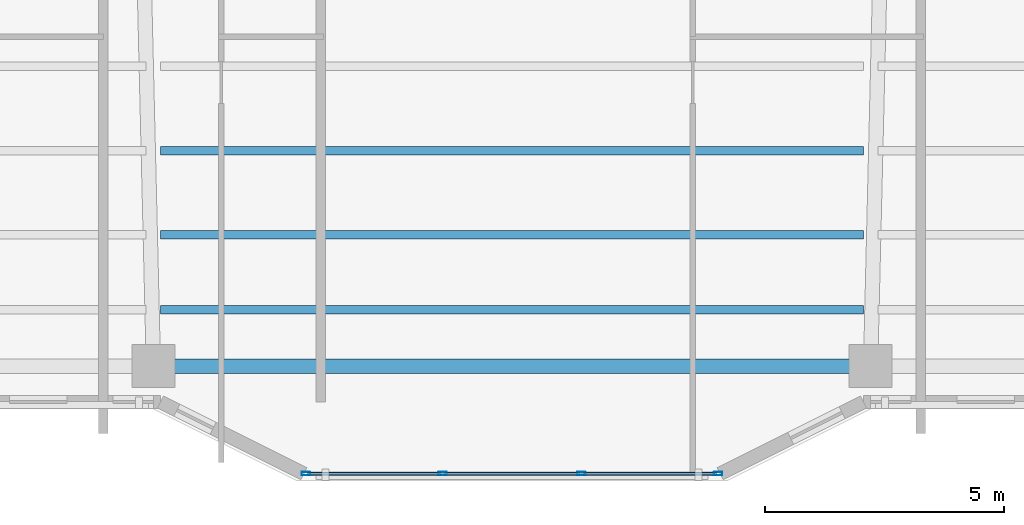
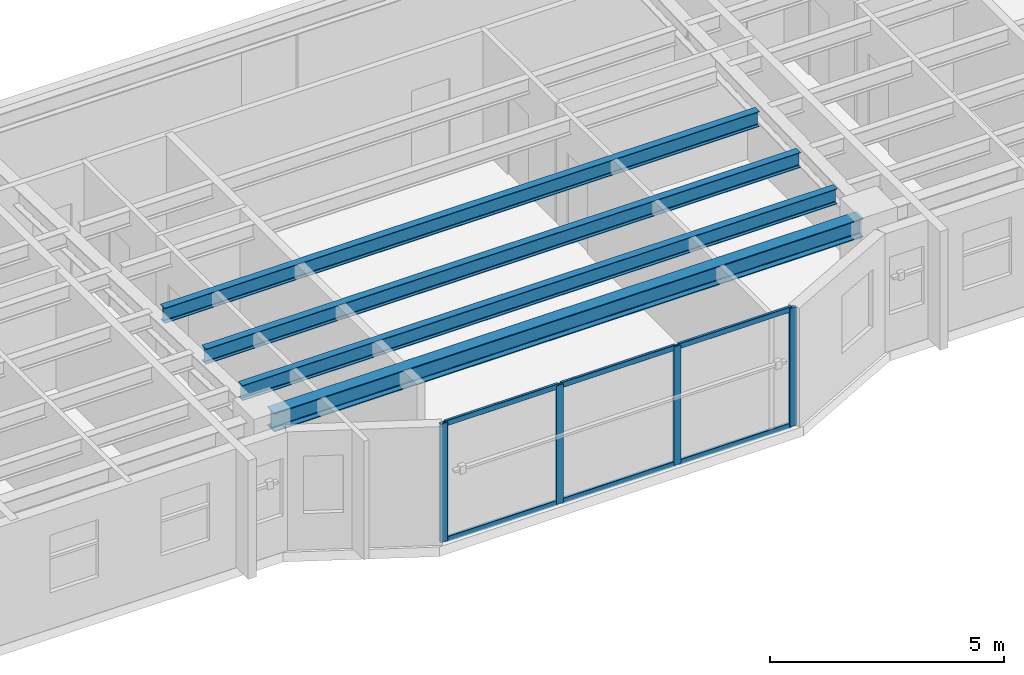
# One storey, part 2 of 16: 10 members, 4 beams, 1 element without a shape of its own.
"""IFC4 building model written with IfcOpenShell, lengths in metres."""

from ifc_helpers import new_model, si_unit, direction, frame, origin, origin_2d, place, context, subcontext, project, spatial, hollow_rectangle, i_section, extrude, material, layer, layer_set, material_profile, profile_set, type_object, element, aggregate, save


model = new_model("IFC4")

# Units and contexts
model_context = context("Model", 3, precision=1e-05, world=origin(), true_north=direction((0.0, 1.0)))
body_context = subcontext(model_context, "Body", "Model", "MODEL_VIEW")
ifc_project = project(units=[si_unit("LENGTHUNIT", "METRE"), si_unit("AREAUNIT", "SQUARE_METRE"), si_unit("VOLUMEUNIT", "CUBIC_METRE"), si_unit("PLANEANGLEUNIT", "RADIAN"), si_unit("MASSUNIT", "GRAM", prefix="KILO")], contexts=[model_context])

# Site, building, storey
site_placement = place(None, origin())
site = spatial("IfcSite", under=ifc_project, at=site_placement, CompositionType="ELEMENT")
building_placement = place(site_placement, origin())
building = spatial("IfcBuilding", under=site, at=building_placement, Name="Tarnavaz Court Tower", CompositionType="ELEMENT")
storey_placement = place(building_placement, frame((0.0, 0.0, 135.949951171875)))
storey = spatial("IfcBuildingStorey", under=building, at=storey_placement, Name="L36", CompositionType="ELEMENT", Elevation=135.949951171875)

# Beams
ifc_material_1 = material(Name="Steel S355", Category="steel")
ifc_material_profile_1 = material_profile(ifc_material_1, i_section(OverallWidth=0.179931640625, OverallDepth=0.39990234375, WebThickness=0.008544921875, FlangeThickness=0.013427734375, FilletRadius=0.02099609375, at=origin_2d()), Name="IPE 400")
ifc_profile_set_1 = profile_set([ifc_material_profile_1], Name="Steel S355")
beam_type_1 = type_object("IfcBeamType", Name="BM-J-IPE400", PredefinedType="JOIST", material=ifc_profile_set_1)
for number, where, z_axis, x_axis, name in (
    (1, (-7.35009765625, -15.89208984375, 2.900146484375), (1.0, 0.0, 0.0), (0.0, 1.0, 0.0), "L36 Beam JS3-2"),
    (2, (-7.35009765625, -17.656005859375, 2.900146484375), (1.0, 0.0, 0.0), (0.0, 1.0, 0.0), "L36 Beam JS4-2"),
    (3, (-7.35009765625, -19.22412109375, 2.900146484375), (1.0, 0.0, 0.0), (0.0, 1.0, 0.0), "L36 Beam JS5-2"),
):
    element("IfcBeam", number, at=place(storey_placement, frame(where, z_axis=z_axis, x_axis=x_axis)), inside=storey, type_object=beam_type_1, Name=name, PredefinedType="JOIST", context=body_context, shape_type="SweptSolid", body=[
        extrude(i_section(OverallWidth=0.179931640625, OverallDepth=0.39990234375, WebThickness=0.008544921875, FlangeThickness=0.013427734375, FilletRadius=0.02099609375, at=origin_2d()), origin(), (0.0, 0.0, 1.0), 14.7001953125),
    ])
ifc_material_profile_2 = material_profile(ifc_material_1, i_section(OverallWidth=0.300048828125, OverallDepth=0.489990234375, WebThickness=0.011962890625, FlangeThickness=0.02294921875, FilletRadius=0.027099609375, at=origin_2d()), Name="HEA 500")
ifc_profile_set_2 = profile_set([ifc_material_profile_2], Name="Steel S355")
beam_type_2 = type_object("IfcBeamType", Name="BM-SP-HEA500", PredefinedType="SPANDREL", material=ifc_profile_set_2)
beam_placement = place(storey_placement, frame((-7.280029296875, -20.39990234375, 2.85498046875), z_axis=(1.0, 0.0, 0.0), x_axis=(0.0, 1.0, 0.0)))
element("IfcBeam", 4, at=beam_placement, inside=storey, type_object=beam_type_2, Name="L36 Beam PR-PS-2-PS-3", PredefinedType="SPANDREL", context=body_context, shape_type="SweptSolid", body=[
    extrude(i_section(OverallWidth=0.300048828125, OverallDepth=0.489990234375, WebThickness=0.011962890625, FlangeThickness=0.02294921875, FilletRadius=0.027099609375, at=origin_2d()), origin(), (0.0, 0.0, 1.0), 14.56005859375),
])

# Curtain wall, members
ifc_material_2 = material(Name="Anodised Aluminium 6063-T6 and Solar Low-E Glazing", Category="aluminium")
ifc_layer = layer(ifc_material_2, 0.159912109375)
ifc_layer_set = layer_set([ifc_layer], Name="Anodised Aluminium 6063-T6 and Solar Low-E Glazing")
curtain_wall_type = type_object("IfcCurtainWallType", Name="CW-SYS-03", PredefinedType="NOTDEFINED", material=ifc_layer_set)
curtain_wall_placement = place(storey_placement, origin())
curtain_wall = element("IfcCurtainWall", 5, at=curtain_wall_placement, inside=storey, type_object=curtain_wall_type, Name="L36 Iwan Prow Curtain Wall 17", PredefinedType="NOTDEFINED")
ifc_material_3 = material(Name="Anodised Aluminium 6063-T6", Category="aluminium")
ifc_material_profile_3 = material_profile(ifc_material_3, hollow_rectangle(XDim=0.074951171875, YDim=0.179931640625, WallThickness=0.0048828125, InnerFilletRadius=0.0048828125, OuterFilletRadius=0.010009765625, at=origin_2d()), Name="ALU RHS 180X75X5")
ifc_profile_set_3 = profile_set([ifc_material_profile_3], Name="Anodised Aluminium 6063-T6")
member_type_1 = type_object("IfcMemberType", Name="CW-MUL-180", PredefinedType="MULLION", material=ifc_profile_set_3)
member_1_placement = place(storey_placement, frame((4.3125, -22.64990234375, 0.0), z_axis=(0.0, 0.0, 1.0), x_axis=(0.0, -1.0, 0.0)))
member_1 = element("IfcMember", 6, at=member_1_placement, type_object=member_type_1, Name="CW mullion 1", PredefinedType="MULLION", context=body_context, shape_type="SweptSolid", body=[
    extrude(hollow_rectangle(XDim=0.074951171875, YDim=0.179931640625, WallThickness=0.0048828125, InnerFilletRadius=0.0048828125, OuterFilletRadius=0.010009765625, at=origin_2d()), origin(), (0.0, 0.0, 1.0), 3.10009765625),
])
member_2_placement = place(storey_placement, frame((1.449951171875, -22.64990234375, 0.0), z_axis=(0.0, 0.0, 1.0), x_axis=(0.0, -1.0, 0.0)))
member_2 = element("IfcMember", 7, at=member_2_placement, type_object=member_type_1, Name="CW mullion 2", PredefinedType="MULLION", context=body_context, shape_type="SweptSolid", body=[
    extrude(hollow_rectangle(XDim=0.074951171875, YDim=0.179931640625, WallThickness=0.0048828125, InnerFilletRadius=0.0048828125, OuterFilletRadius=0.010009765625, at=origin_2d()), origin(), (0.0, 0.0, 1.0), 3.10009765625),
])
member_3_placement = place(storey_placement, frame((-1.449951171875, -22.64990234375, 0.0), z_axis=(0.0, 0.0, 1.0), x_axis=(0.0, -1.0, 0.0)))
member_3 = element("IfcMember", 8, at=member_3_placement, type_object=member_type_1, Name="CW mullion 3", PredefinedType="MULLION", context=body_context, shape_type="SweptSolid", body=[
    extrude(hollow_rectangle(XDim=0.074951171875, YDim=0.179931640625, WallThickness=0.0048828125, InnerFilletRadius=0.0048828125, OuterFilletRadius=0.010009765625, at=origin_2d()), origin(), (0.0, 0.0, 1.0), 3.10009765625),
])
member_4_placement = place(storey_placement, frame((-4.3125, -22.64990234375, 0.0), z_axis=(0.0, 0.0, 1.0), x_axis=(0.0, -1.0, 0.0)))
member_4 = element("IfcMember", 9, at=member_4_placement, type_object=member_type_1, Name="CW mullion 4", PredefinedType="MULLION", context=body_context, shape_type="SweptSolid", body=[
    extrude(hollow_rectangle(XDim=0.074951171875, YDim=0.179931640625, WallThickness=0.0048828125, InnerFilletRadius=0.0048828125, OuterFilletRadius=0.010009765625, at=origin_2d()), origin(), (0.0, 0.0, 1.0), 3.10009765625),
])
ifc_material_profile_4 = material_profile(ifc_material_3, hollow_rectangle(XDim=0.06494140625, YDim=0.139892578125, WallThickness=0.00390625, InnerFilletRadius=0.00390625, OuterFilletRadius=0.008056640625, at=origin_2d()), Name="ALU RHS 140X65X4")
ifc_profile_set_4 = profile_set([ifc_material_profile_4], Name="Anodised Aluminium 6063-T6")
member_type_2 = type_object("IfcMemberType", Name="CW-TRN-140", PredefinedType="USERDEFINED", material=ifc_profile_set_4)
member_5_placement = place(storey_placement, frame((4.27490234375, -22.64990234375, 0.032470703125), z_axis=(-1.0, 0.0, 0.0), x_axis=(0.0, -1.0, 0.0)))
member_5 = element("IfcMember", 10, at=member_5_placement, type_object=member_type_2, Name="CW transom 1.1", ObjectType="TRANSOM", PredefinedType="USERDEFINED", context=body_context, shape_type="SweptSolid", body=[
    extrude(hollow_rectangle(XDim=0.06494140625, YDim=0.139892578125, WallThickness=0.00390625, InnerFilletRadius=0.00390625, OuterFilletRadius=0.008056640625, at=origin_2d()), origin(), (0.0, 0.0, 1.0), 2.787353515625),
])
member_6_placement = place(storey_placement, frame((4.27490234375, -22.64990234375, 3.067626953125), z_axis=(-1.0, 0.0, 0.0), x_axis=(0.0, -1.0, 0.0)))
member_6 = element("IfcMember", 11, at=member_6_placement, type_object=member_type_2, Name="CW transom 1.2", ObjectType="TRANSOM", PredefinedType="USERDEFINED", context=body_context, shape_type="SweptSolid", body=[
    extrude(hollow_rectangle(XDim=0.06494140625, YDim=0.139892578125, WallThickness=0.00390625, InnerFilletRadius=0.00390625, OuterFilletRadius=0.008056640625, at=origin_2d()), origin(), (0.0, 0.0, 1.0), 2.787353515625),
])
member_7_placement = place(storey_placement, frame((1.41259765625, -22.64990234375, 0.032470703125), z_axis=(-1.0, 0.0, 0.0), x_axis=(0.0, -1.0, 0.0)))
member_7 = element("IfcMember", 12, at=member_7_placement, type_object=member_type_2, Name="CW transom 2.1", ObjectType="TRANSOM", PredefinedType="USERDEFINED", context=body_context, shape_type="SweptSolid", body=[
    extrude(hollow_rectangle(XDim=0.06494140625, YDim=0.139892578125, WallThickness=0.00390625, InnerFilletRadius=0.00390625, OuterFilletRadius=0.008056640625, at=origin_2d()), origin(), (0.0, 0.0, 1.0), 2.8251953125),
])
member_8_placement = place(storey_placement, frame((1.41259765625, -22.64990234375, 3.067626953125), z_axis=(-1.0, 0.0, 0.0), x_axis=(0.0, -1.0, 0.0)))
member_8 = element("IfcMember", 13, at=member_8_placement, type_object=member_type_2, Name="CW transom 2.2", ObjectType="TRANSOM", PredefinedType="USERDEFINED", context=body_context, shape_type="SweptSolid", body=[
    extrude(hollow_rectangle(XDim=0.06494140625, YDim=0.139892578125, WallThickness=0.00390625, InnerFilletRadius=0.00390625, OuterFilletRadius=0.008056640625, at=origin_2d()), origin(), (0.0, 0.0, 1.0), 2.8251953125),
])
member_9_placement = place(storey_placement, frame((-1.487548828125, -22.64990234375, 0.032470703125), z_axis=(-1.0, 0.0, 0.0), x_axis=(0.0, -1.0, 0.0)))
member_9 = element("IfcMember", 14, at=member_9_placement, type_object=member_type_2, Name="CW transom 3.1", ObjectType="TRANSOM", PredefinedType="USERDEFINED", context=body_context, shape_type="SweptSolid", body=[
    extrude(hollow_rectangle(XDim=0.06494140625, YDim=0.139892578125, WallThickness=0.00390625, InnerFilletRadius=0.00390625, OuterFilletRadius=0.008056640625, at=origin_2d()), origin(), (0.0, 0.0, 1.0), 2.787353515625),
])
member_10_placement = place(storey_placement, frame((-1.487548828125, -22.64990234375, 3.067626953125), z_axis=(-1.0, 0.0, 0.0), x_axis=(0.0, -1.0, 0.0)))
member_10 = element("IfcMember", 15, at=member_10_placement, type_object=member_type_2, Name="CW transom 3.2", ObjectType="TRANSOM", PredefinedType="USERDEFINED", context=body_context, shape_type="SweptSolid", body=[
    extrude(hollow_rectangle(XDim=0.06494140625, YDim=0.139892578125, WallThickness=0.00390625, InnerFilletRadius=0.00390625, OuterFilletRadius=0.008056640625, at=origin_2d()), origin(), (0.0, 0.0, 1.0), 2.787353515625),
])
aggregate(curtain_wall, [member_1, member_2, member_3, member_4, member_5, member_6, member_7, member_8, member_9, member_10])

save(model, "model.ifc")
